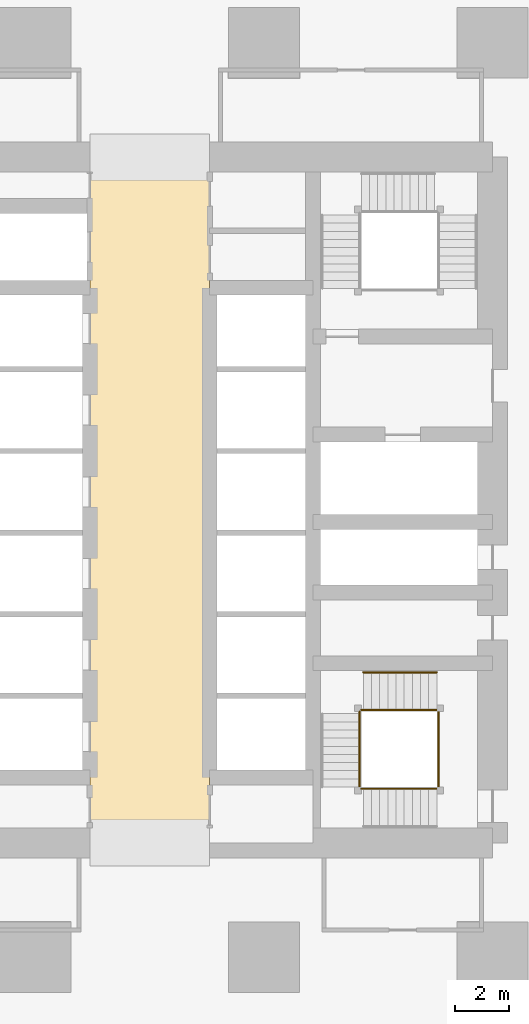
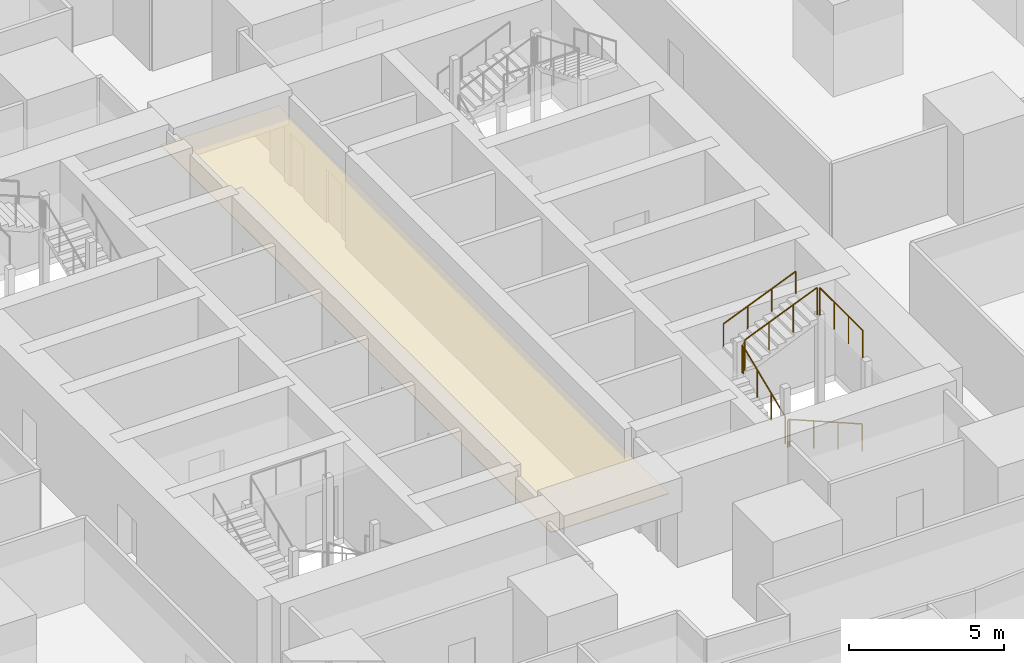
# One storey, part 41 of 46: 8 railings, 1 covering.
"""IFC4 building model written with IfcOpenShell, lengths in metres."""

from ifc_helpers import new_model, si_unit, direction, frame, origin, origin_2d, place, context, subcontext, project, spatial, polyline, circle, outline, extrude, material, layer, layer_set, type_object, element, save


model = new_model("IFC4")

# Units and contexts
model_context = context("Model", 3, precision=1e-05, world=origin(), true_north=direction((0.0, 1.0)))
body_context = subcontext(model_context, "Body", "Model", "MODEL_VIEW")
ifc_project = project(units=[si_unit("LENGTHUNIT", "METRE"), si_unit("AREAUNIT", "SQUARE_METRE"), si_unit("VOLUMEUNIT", "CUBIC_METRE"), si_unit("PLANEANGLEUNIT", "RADIAN"), si_unit("MASSUNIT", "GRAM", prefix="KILO")], contexts=[model_context])

# Site, building, storey
site_placement = place(None, origin())
site = spatial("IfcSite", under=ifc_project, at=site_placement, CompositionType="ELEMENT")
building_placement = place(site_placement, origin())
building = spatial("IfcBuilding", under=site, at=building_placement, Name="Rekha Terrace Tower", CompositionType="ELEMENT")
storey_placement = place(building_placement, frame((0.0, 0.0, 29.14990234375)))
storey = spatial("IfcBuildingStorey", under=building, at=storey_placement, Name="L06", CompositionType="ELEMENT", Elevation=29.14990234375)

# Covering
ifc_material_1 = material(Name="Powder-coated aluminium pan", Category="aluminium")
ifc_layer = layer(ifc_material_1, 0.030029296875)
ifc_layer_set = layer_set([ifc_layer], Name="Powder-coated aluminium pan")
covering_type = type_object("IfcCoveringType", Name="CL3 300x1200 metal pan ceiling", PredefinedType="CEILING", material=ifc_layer_set)
covering_placement = place(storey_placement, frame((0.0, 0.0, 2.570068359375)))
element("IfcCovering", 1, at=covering_placement, inside=storey, type_object=covering_type, Name="Ceiling L06-LOBBY", PredefinedType="CEILING", context=body_context, shape_type="SweptSolid", body=[
    extrude(outline(polyline([(40.0, 46.199951171875), (35.60009765625, 46.199951171875), (35.60009765625, 21.0), (40.0, 21.0), (40.0, 46.199951171875)])), origin(), (0.0, 0.0, 1.0), 0.030029296875),
])

# Railings
ifc_material_2 = material(Name="Stainless steel balustrade", Category="steel")
railing_type_1 = type_object("IfcRailingType", Name="GR1 1100 stair guard", PredefinedType="GUARDRAIL", material=ifc_material_2)
railing_1_placement = place(storey_placement, frame((48.35009765625, 22.989990234375, 0.125)))
element("IfcRailing", 2, at=railing_1_placement, inside=storey, type_object=railing_type_1, Name="Guard ST3 L06 flight 1", PredefinedType="GUARDRAIL", context=body_context, shape_type="SweptSolid", body=[
    extrude(circle(Radius=0.02392578125, at=origin_2d()), frame((0.0, 0.0, 1.076171875), z_axis=(-0.923086799901, 0.0, 0.38459167938), x_axis=(0.0, -1.0, 0.0)), (0.0, 0.0, 1.0), 2.92529296875),
    extrude(circle(Radius=0.02099609375, at=origin_2d()), origin(), (0.0, 0.0, 1.0), 1.052001953125),
    extrude(circle(Radius=0.02099609375, at=origin_2d()), frame((-0.900146484375, 0.0, 0.375)), (0.0, 0.0, 1.0), 1.052001953125),
    extrude(circle(Radius=0.02099609375, at=origin_2d()), frame((-1.800048828125, 0.0, 0.75)), (0.0, 0.0, 1.0), 1.052001953125),
    extrude(circle(Radius=0.02099609375, at=origin_2d()), frame((-2.7001953125, 0.0, 1.125)), (0.0, 0.0, 1.0), 1.052001953125),
])
railing_2_placement = place(storey_placement, frame((45.514892578125, 23.050048828125, 1.375)))
element("IfcRailing", 3, at=railing_2_placement, inside=storey, type_object=railing_type_1, Name="Guard ST3 L06 flight 2", PredefinedType="GUARDRAIL", context=body_context, shape_type="SweptSolid", body=[
    extrude(circle(Radius=0.02392578125, at=origin_2d()), frame((0.0, 0.0, 1.076171875), z_axis=(0.0, 0.923074453586, 0.384621311341), x_axis=(-1.0, 0.0, 0.0)), (0.0, 0.0, 1.0), 2.925048828125),
    extrude(circle(Radius=0.02099609375, at=origin_2d()), origin(), (0.0, 0.0, 1.0), 1.052001953125),
    extrude(circle(Radius=0.02099609375, at=origin_2d()), frame((0.0, 0.89990234375, 0.375)), (0.0, 0.0, 1.0), 1.052001953125),
    extrude(circle(Radius=0.02099609375, at=origin_2d()), frame((0.0, 1.800048828125, 0.75)), (0.0, 0.0, 1.0), 1.052001953125),
    extrude(circle(Radius=0.02099609375, at=origin_2d()), frame((0.0, 2.699951171875, 1.125)), (0.0, 0.0, 1.0), 1.052001953125),
])
railing_3_placement = place(storey_placement, frame((45.64990234375, 25.885009765625, 2.625)))
element("IfcRailing", 4, at=railing_3_placement, inside=storey, type_object=railing_type_1, Name="Guard ST3 L06 flight 3", PredefinedType="GUARDRAIL", context=body_context, shape_type="SweptSolid", body=[
    extrude(circle(Radius=0.02392578125, at=origin_2d()), frame((0.0, 0.0, 1.076171875), z_axis=(0.923086799901, 0.0, 0.38459167938), x_axis=(0.0, 1.0, 0.0)), (0.0, 0.0, 1.0), 2.92529296875),
    extrude(circle(Radius=0.02099609375, at=origin_2d()), origin(), (0.0, 0.0, 1.0), 1.052001953125),
    extrude(circle(Radius=0.02099609375, at=origin_2d()), frame((0.900146484375, 0.0, 0.375)), (0.0, 0.0, 1.0), 1.052001953125),
    extrude(circle(Radius=0.02099609375, at=origin_2d()), frame((1.800048828125, 0.0, 0.75)), (0.0, 0.0, 1.0), 1.052001953125),
    extrude(circle(Radius=0.02099609375, at=origin_2d()), frame((2.7001953125, 0.0, 1.125)), (0.0, 0.0, 1.0), 1.052001953125),
])
railing_4_placement = place(storey_placement, frame((45.64990234375, 22.989990234375, 1.25)))
element("IfcRailing", 5, at=railing_4_placement, inside=storey, type_object=railing_type_1, Name="Guard ST3 L06 landing 1", PredefinedType="GUARDRAIL", context=body_context, shape_type="SweptSolid", body=[
    extrude(circle(Radius=0.02392578125, at=origin_2d()), frame((0.0, 0.0, 1.076171875), z_axis=(-1.0, 0.0, 0.0), x_axis=(0.0, -1.0, 0.0)), (0.0, 0.0, 1.0), 0.074951171875),
    extrude(circle(Radius=0.02099609375, at=origin_2d()), origin(), (0.0, 0.0, 1.0), 1.052001953125),
    extrude(circle(Radius=0.02099609375, at=origin_2d()), frame((-0.074951171875, 0.0, 0.0)), (0.0, 0.0, 1.0), 1.052001953125),
])
railing_5_placement = place(storey_placement, frame((45.514892578125, 25.75, 2.5)))
element("IfcRailing", 6, at=railing_5_placement, inside=storey, type_object=railing_type_1, Name="Guard ST3 L06 landing 2", PredefinedType="GUARDRAIL", context=body_context, shape_type="SweptSolid", body=[
    extrude(circle(Radius=0.02392578125, at=origin_2d()), frame((0.0, 0.0, 1.076171875), z_axis=(0.0, 1.0, 0.0), x_axis=(-1.0, 0.0, 0.0)), (0.0, 0.0, 1.0), 0.074951171875),
    extrude(circle(Radius=0.02099609375, at=origin_2d()), origin(), (0.0, 0.0, 1.0), 1.052001953125),
    extrude(circle(Radius=0.02099609375, at=origin_2d()), frame((0.0, 0.074951171875, 0.0)), (0.0, 0.0, 1.0), 1.052001953125),
])
railing_6_placement = place(storey_placement, frame((45.64990234375, 25.885009765625, 2.5)))
element("IfcRailing", 7, at=railing_6_placement, inside=storey, type_object=railing_type_1, Name="Guard ST3 L06 landing 3", PredefinedType="GUARDRAIL", context=body_context, shape_type="SweptSolid", body=[
    extrude(circle(Radius=0.02392578125, at=origin_2d()), frame((0.0, 0.0, 1.076171875), z_axis=(-1.0, 0.0, 0.0), x_axis=(0.0, -1.0, 0.0)), (0.0, 0.0, 1.0), 0.074951171875),
    extrude(circle(Radius=0.02099609375, at=origin_2d()), origin(), (0.0, 0.0, 1.0), 1.052001953125),
    extrude(circle(Radius=0.02099609375, at=origin_2d()), frame((-0.074951171875, 0.0, 0.0)), (0.0, 0.0, 1.0), 1.052001953125),
])
railing_7_placement = place(storey_placement, frame((48.409912109375, 23.050048828125, 3.75)))
element("IfcRailing", 8, at=railing_7_placement, inside=storey, type_object=railing_type_1, Name="Guard ST3 L06 landing 4", PredefinedType="GUARDRAIL", context=body_context, shape_type="SweptSolid", body=[
    extrude(circle(Radius=0.02392578125, at=origin_2d()), frame((0.0, 0.0, 1.076171875), z_axis=(0.0, 1.0, 0.0), x_axis=(-1.0, 0.0, 0.0)), (0.0, 0.0, 1.0), 2.77490234375),
    extrude(circle(Radius=0.02099609375, at=origin_2d()), origin(), (0.0, 0.0, 1.0), 1.052001953125),
    extrude(circle(Radius=0.02099609375, at=origin_2d()), frame((0.0, 0.925048828125, 0.0)), (0.0, 0.0, 1.0), 1.052001953125),
    extrude(circle(Radius=0.02099609375, at=origin_2d()), frame((0.0, 1.849853515625, 0.0)), (0.0, 0.0, 1.0), 1.052001953125),
    extrude(circle(Radius=0.02099609375, at=origin_2d()), frame((0.0, 2.77490234375, 0.0)), (0.0, 0.0, 1.0), 1.052001953125),
])
ifc_material_3 = material(Name="Stainless steel tube", Category="steel")
railing_type_2 = type_object("IfcRailingType", Name="HR1 900 stair handrail", PredefinedType="HANDRAIL", material=ifc_material_3)
railing_8_placement = place(storey_placement, frame((45.64990234375, 27.264892578125, 2.625)))
element("IfcRailing", 9, at=railing_8_placement, inside=storey, type_object=railing_type_2, Name="Handrail ST3 L06 flight 3", PredefinedType="HANDRAIL", context=body_context, shape_type="SweptSolid", body=[
    extrude(circle(Radius=0.02392578125, at=origin_2d()), frame((0.0, 0.0, 0.8759765625), z_axis=(0.923086799901, 0.0, 0.38459167938), x_axis=(0.0, 1.0, 0.0)), (0.0, 0.0, 1.0), 2.92529296875),
    extrude(circle(Radius=0.02099609375, at=origin_2d()), origin(), (0.0, 0.0, 1.0), 0.851806640625),
    extrude(circle(Radius=0.02099609375, at=origin_2d()), frame((0.900146484375, 0.0, 0.375)), (0.0, 0.0, 1.0), 0.851806640625),
    extrude(circle(Radius=0.02099609375, at=origin_2d()), frame((1.800048828125, 0.0, 0.75)), (0.0, 0.0, 1.0), 0.851806640625),
    extrude(circle(Radius=0.02099609375, at=origin_2d()), frame((2.7001953125, 0.0, 1.125)), (0.0, 0.0, 1.0), 0.851806640625),
])

save(model, "model.ifc")
